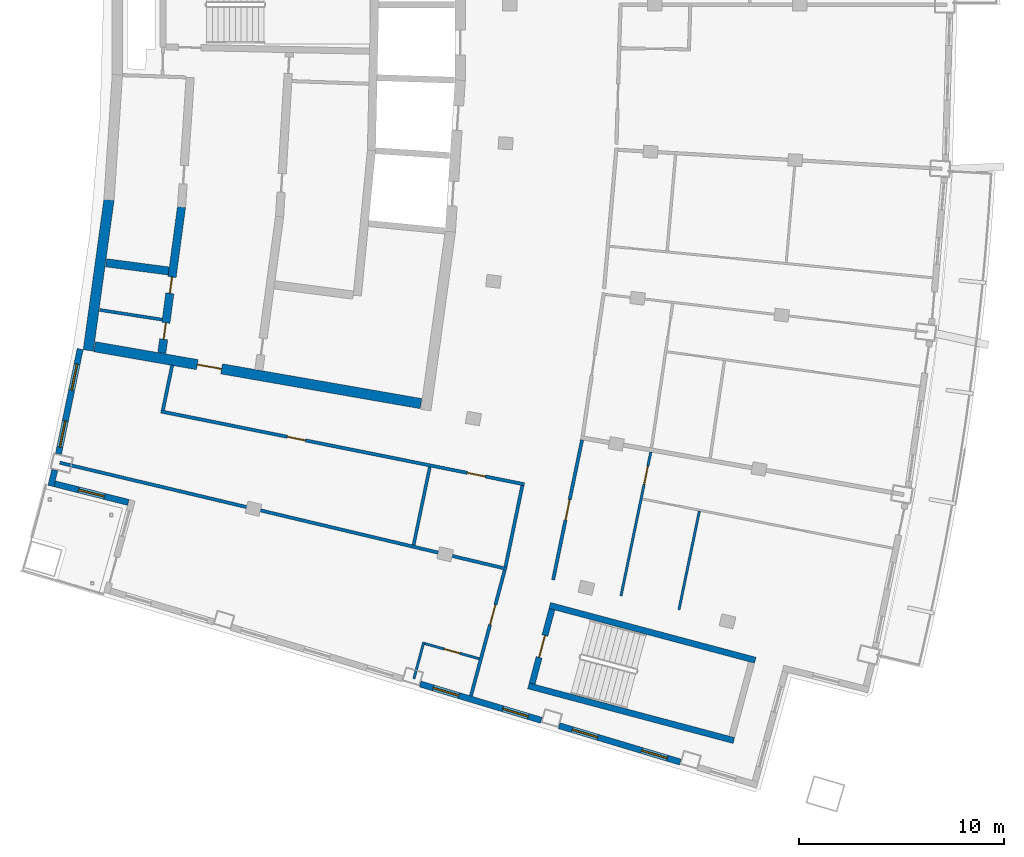
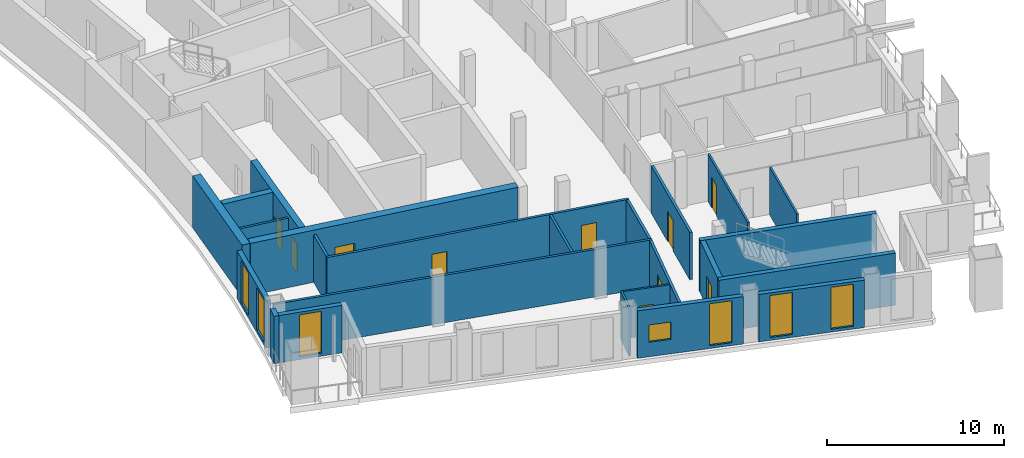
# One storey, part 7 of 15: 24 walls, 10 doors, 7 windows, 17 openings.
"""IFC4 building model written with IfcOpenShell, lengths in metres."""

from ifc_helpers import new_model, si_unit, direction, frame, frame_2d, origin, place, context, subcontext, project, spatial, rectangle, extrude, material, layer, layer_set, type_object, element, fill, save


model = new_model("IFC4")

# Units and contexts
model_context = context("Model", 3, precision=1e-05, world=origin(), true_north=direction((0.0, 1.0)))
body_context = subcontext(model_context, "Body", "Model", "MODEL_VIEW")
ifc_project = project(units=[si_unit("LENGTHUNIT", "METRE"), si_unit("AREAUNIT", "SQUARE_METRE"), si_unit("VOLUMEUNIT", "CUBIC_METRE"), si_unit("PLANEANGLEUNIT", "RADIAN"), si_unit("MASSUNIT", "GRAM", prefix="KILO")], contexts=[model_context])

# Site, building, storey
site_placement = place(None, origin())
site = spatial("IfcSite", under=ifc_project, at=site_placement, CompositionType="ELEMENT")
building_placement = place(site_placement, origin())
building = spatial("IfcBuilding", under=site, at=building_placement, Name="Alderwake Tower", CompositionType="ELEMENT")
storey_placement = place(building_placement, frame((0.0, 0.0, 249.199951171875)))
storey = spatial("IfcBuildingStorey", under=building, at=storey_placement, Name="L61", CompositionType="ELEMENT", Elevation=249.199951171875)

# Walls
ifc_material_1 = material(Name="Gypsum shaft wall system, rated")
ifc_layer_1 = layer(ifc_material_1, 0.14990234375)
ifc_layer_set_1 = layer_set([ifc_layer_1], Name="Core room partition 150")
wall_type_1 = type_object("IfcWallType", Name="Core room partition 150", PredefinedType="PARTITIONING", material=ifc_layer_set_1)
wall_1_placement = place(storey_placement, frame((15.826416015625, 46.128662109375, 0.0), z_axis=(0.0, 0.0, 1.0), x_axis=(0.988169349882, -0.153366671587, 0.0)))
element("IfcWall", 1, at=wall_1_placement, inside=storey, type_object=wall_type_1, Name="CW/L61/PR-161_+0", PredefinedType="PARTITIONING", context=body_context, shape_type="SweptSolid", body=[
    extrude(rectangle(XDim=3.081787109375, YDim=0.14990234375, at=frame_2d((1.541015625, 0.0))), origin(), (0.0, 0.0, 1.0), 3.280029296875),
])
ifc_material_2 = material(Name="Concrete C70/85", Category="concrete")
ifc_layer_2 = layer(ifc_material_2, 0.5)
ifc_layer_set_2 = layer_set([ifc_layer_2], Name="Core wall outer 500 C70-85")
wall_type_2 = type_object("IfcWallType", Name="Core wall outer 500 C70-85", PredefinedType="SHEAR", material=ifc_layer_set_2)
wall_2_placement = place(storey_placement, frame((15.272216796875, 44.155029296875, 0.0), z_axis=(0.0, 0.0, 1.0), x_axis=(0.13632182908, 0.990664604655, 0.0)))
element("IfcWall", 2, at=wall_2_placement, inside=storey, type_object=wall_type_2, Name="Core wall CW.028", PredefinedType="SHEAR", context=body_context, shape_type="SweptSolid", body=[
    extrude(rectangle(XDim=7.408935546875, YDim=0.5, at=frame_2d((3.70458984375, 0.0))), origin(), (0.0, 0.0, 1.0), 3.60009765625),
])

# Wall, opening, door
wall_3_placement = place(storey_placement, frame((31.47802734375, 41.564453125, 0.0), z_axis=(0.0, 0.0, 1.0), x_axis=(-0.985140274783, 0.171751678306, 0.0)))
wall_3 = element("IfcWall", 3, at=wall_3_placement, inside=storey, type_object=wall_type_2, Name="Core wall CW.072", PredefinedType="SHEAR", context=body_context, shape_type="SweptSolid", body=[
    extrude(rectangle(XDim=16.137939453125, YDim=0.5, at=frame_2d((8.06884765625, 0.0))), origin(), (0.0, 0.0, 1.0), 3.60009765625),
])
opening_1_placement = place(wall_3_placement, frame((9.859619140625, 0.0, 0.0)))
opening_1 = element("IfcOpeningElement", 4, at=opening_1_placement, cuts=wall_3, Name="Opening C003", PredefinedType="OPENING", context=body_context, shape_type="SweptSolid", body=[
    extrude(rectangle(XDim=1.199951171875, YDim=2.10009765625, at=frame_2d((0.60009765625, 1.050048828125))), frame((0.0, 0.260009765625, 0.0), z_axis=(0.0, -1.0, 0.0), x_axis=(1.0, 0.0, 0.0)), (0.0, 0.0, 1.0), 0.52001953125),
])
ifc_material_3 = material(Name="Steel-framed fire door leaf", Category="steel")
door_type_1 = type_object("IfcDoorType", Name="Core lobby exit door 1200 fire-rated", OperationType="SINGLE_SWING_LEFT", PredefinedType="DOOR", material=ifc_material_3)
door_1_placement = place(opening_1_placement, origin())
door_1 = element("IfcDoor", 5, at=door_1_placement, inside=storey, type_object=door_type_1, Name="Lobby door", OperationType="SINGLE_SWING_LEFT", OverallHeight=2.10009765625, OverallWidth=1.199951171875, PredefinedType="DOOR", context=body_context, shape_type="SweptSolid", body=[
    extrude(rectangle(XDim=1.199951171875, YDim=2.10009765625, at=frame_2d((0.60009765625, 1.050048828125))), frame((0.0, 0.02490234375, 0.0), z_axis=(0.0, -1.0, 0.0), x_axis=(1.0, 0.0, 0.0)), (0.0, 0.0, 1.0), 0.050048828125),
])
fill(opening_1, door_1)

# Wall, openings, doors
ifc_material_4 = material(Name="Concrete C70/85", Category="concrete")
ifc_layer_3 = layer(ifc_material_4, 0.39990234375)
ifc_layer_set_3 = layer_set([ifc_layer_3], Name="Core wall spine 400 C70-85")
wall_type_3 = type_object("IfcWallType", Name="Core wall spine 400 C70-85", PredefinedType="SHEAR", material=ifc_layer_set_3)
wall_4_placement = place(storey_placement, frame((19.814697265625, 51.143798828125, 0.0), z_axis=(0.0, 0.0, 1.0), x_axis=(-0.133823115837, -0.991005233925, 0.0)))
wall_4 = element("IfcWall", 6, at=wall_4_placement, inside=storey, type_object=wall_type_3, Name="Core wall CW.033", PredefinedType="SHEAR", context=body_context, shape_type="SweptSolid", body=[
    extrude(rectangle(XDim=7.1787109375, YDim=0.39990234375, at=frame_2d((3.58935546875, 0.0))), origin(), (0.0, 0.0, 1.0), 3.60009765625),
])
opening_2_placement = place(wall_4_placement, frame((5.69677734375, 0.0, 0.0)))
opening_2 = element("IfcOpeningElement", 7, at=opening_2_placement, cuts=wall_4, Name="Opening C009", PredefinedType="OPENING", context=body_context, shape_type="SweptSolid", body=[
    extrude(rectangle(XDim=0.800048828125, YDim=2.0, at=frame_2d((0.39990234375, 1.0))), frame((0.0, 0.2099609375, 0.0), z_axis=(0.0, -1.0, 0.0), x_axis=(1.0, 0.0, 0.0)), (0.0, 0.0, 1.0), 0.419921875),
])
opening_3_placement = place(wall_4_placement, frame((3.443115234375, 0.0, 0.0)))
opening_3 = element("IfcOpeningElement", 8, at=opening_3_placement, cuts=wall_4, Name="Opening C010", PredefinedType="OPENING", context=body_context, shape_type="SweptSolid", body=[
    extrude(rectangle(XDim=0.800048828125, YDim=2.0, at=frame_2d((0.39990234375, 1.0))), frame((0.0, 0.2099609375, 0.0), z_axis=(0.0, -1.0, 0.0), x_axis=(1.0, 0.0, 0.0)), (0.0, 0.0, 1.0), 0.419921875),
])
ifc_material_5 = material(Name="Painted steel leaf, rated", Category="steel")
door_type_2 = type_object("IfcDoorType", Name="Riser access door 800", OperationType="SINGLE_SWING_LEFT", PredefinedType="DOOR", material=ifc_material_5)
door_2_placement = place(opening_2_placement, origin())
door_2 = element("IfcDoor", 9, at=door_2_placement, inside=storey, type_object=door_type_2, Name="Riser access door", OperationType="SINGLE_SWING_LEFT", OverallHeight=2.0, OverallWidth=0.800048828125, PredefinedType="DOOR", context=body_context, shape_type="SweptSolid", body=[
    extrude(rectangle(XDim=0.800048828125, YDim=2.0, at=frame_2d((0.39990234375, 1.0))), frame((0.0, 0.02490234375, 0.0), z_axis=(0.0, -1.0, 0.0), x_axis=(1.0, 0.0, 0.0)), (0.0, 0.0, 1.0), 0.050048828125),
])
fill(opening_2, door_2)
door_3_placement = place(opening_3_placement, origin())
door_3 = element("IfcDoor", 10, at=door_3_placement, inside=storey, type_object=door_type_2, Name="Riser access door", OperationType="SINGLE_SWING_RIGHT", OverallHeight=2.0, OverallWidth=0.800048828125, PredefinedType="DOOR", context=body_context, shape_type="SweptSolid", body=[
    extrude(rectangle(XDim=0.800048828125, YDim=2.0, at=frame_2d((0.39990234375, 1.0))), frame((0.0, 0.02490234375, 0.0), z_axis=(0.0, -1.0, 0.0), x_axis=(1.0, 0.0, 0.0)), (0.0, 0.0, 1.0), 0.050048828125),
])
fill(opening_3, door_3)

# Walls
wall_5_placement = place(storey_placement, frame((16.142578125, 48.42529296875, 0.0), z_axis=(0.0, 0.0, 1.0), x_axis=(0.991550757989, -0.129719290517, 0.0)))
element("IfcWall", 11, at=wall_5_placement, inside=storey, type_object=wall_type_3, Name="Core wall CW.067", PredefinedType="SHEAR", context=body_context, shape_type="SweptSolid", body=[
    extrude(rectangle(XDim=3.0751953125, YDim=0.39990234375, at=frame_2d((1.53759765625, 0.0))), origin(), (0.0, 0.0, 1.0), 3.60009765625),
])
ifc_material_6 = material(Name="Concrete C70/85", Category="concrete")
ifc_layer_4 = layer(ifc_material_6, 0.300048828125)
ifc_layer_set_4 = layer_set([ifc_layer_4], Name="Core wall stair enclosure 300 C70-85")
wall_type_4 = type_object("IfcWallType", Name="Core wall stair enclosure 300 C70-85", PredefinedType="SHEAR", material=ifc_layer_set_4)
for number, where, z_axis, x_axis, name in (
    (12, (37.75390625, 31.731201171875, 0.0), (0.0, 0.0, 1.0), (0.966309214305, -0.257383958996, 0.0), "Core wall CW.086"),
    (13, (36.71142578125, 27.817626953125, 0.0), (0.0, 0.0, 1.0), (0.966309214305, -0.257383958996, 0.0), "Core wall CW.088"),
):
    element("IfcWall", number, at=place(storey_placement, frame(where, z_axis=z_axis, x_axis=x_axis)), inside=storey, type_object=wall_type_4, Name=name, PredefinedType="SHEAR", context=body_context, shape_type="SweptSolid", body=[
        extrude(rectangle(XDim=10.360107421875, YDim=0.300048828125, at=frame_2d((5.18017578125, 0.0))), origin(), (0.0, 0.0, 1.0), 3.60009765625),
    ])

# Wall, opening, door
wall_6_placement = place(storey_placement, frame((36.89501953125, 27.923828125, 0.0), z_axis=(0.0, 0.0, 1.0), x_axis=(0.257350630826, 0.966318090907, 0.0)))
wall_6 = element("IfcWall", 14, at=wall_6_placement, inside=storey, type_object=wall_type_4, Name="Core wall CW.087", PredefinedType="SHEAR", context=body_context, shape_type="SweptSolid", body=[
    extrude(rectangle(XDim=3.75, YDim=0.300048828125, at=frame_2d((1.875, 0.0))), origin(), (0.0, 0.0, 1.0), 3.60009765625),
])
opening_4_placement = place(wall_6_placement, frame((1.324951171875, 0.0, 0.0)))
opening_4 = element("IfcOpeningElement", 15, at=opening_4_placement, cuts=wall_6, Name="Opening C065", PredefinedType="OPENING", context=body_context, shape_type="SweptSolid", body=[
    extrude(rectangle(XDim=1.10009765625, YDim=2.10009765625, at=frame_2d((0.550048828125, 1.050048828125))), frame((0.0, 0.159912109375, 0.0), z_axis=(0.0, -1.0, 0.0), x_axis=(1.0, 0.0, 0.0)), (0.0, 0.0, 1.0), 0.320068359375),
])
ifc_material_7 = material(Name="Steel-framed fire door leaf", Category="steel")
door_type_3 = type_object("IfcDoorType", Name="Core stair door 1100 fire-rated", OperationType="SINGLE_SWING_LEFT", PredefinedType="DOOR", material=ifc_material_7)
door_4_placement = place(opening_4_placement, origin())
door_4 = element("IfcDoor", 16, at=door_4_placement, inside=storey, type_object=door_type_3, Name="Stair door", OperationType="SINGLE_SWING_LEFT", OverallHeight=2.10009765625, OverallWidth=1.10009765625, PredefinedType="DOOR", context=body_context, shape_type="SweptSolid", body=[
    extrude(rectangle(XDim=1.10009765625, YDim=2.10009765625, at=frame_2d((0.550048828125, 1.050048828125))), frame((0.0, 0.02490234375, 0.0), z_axis=(0.0, -1.0, 0.0), x_axis=(1.0, 0.0, 0.0)), (0.0, 0.0, 1.0), 0.050048828125),
])
fill(opening_4, door_4)

# Wall
ifc_material_8 = material(Name="Gypsum board on metal studs, rated")
ifc_layer_5 = layer(ifc_material_8, 0.159912109375)
ifc_layer_set_5 = layer_set([ifc_layer_5], Name="Corridor wall 160")
wall_type_5 = type_object("IfcWallType", Name="Corridor wall 160", PredefinedType="PARTITIONING", material=ifc_layer_set_5)
wall_7_placement = place(storey_placement, frame((13.884033203125, 38.68798828125, 0.0), z_axis=(0.0, 0.0, 1.0), x_axis=(0.972893462073, -0.231253781493, 0.0)))
element("IfcWall", 17, at=wall_7_placement, inside=storey, type_object=wall_type_5, Name="WL/L61/W08", PredefinedType="PARTITIONING", context=body_context, shape_type="SweptSolid", body=[
    extrude(rectangle(XDim=22.38037109375, YDim=0.159912109375, at=frame_2d((11.190185546875, 0.0))), origin(), (0.0, 0.0, 1.0), 3.280029296875),
])

# Wall, openings, doors
wall_8_placement = place(storey_placement, frame((36.513427734375, 37.63427734375, 0.0), z_axis=(0.0, 0.0, 1.0), x_axis=(-0.980470254867, 0.1966674333, 0.0)))
wall_8 = element("IfcWall", 18, at=wall_8_placement, inside=storey, type_object=wall_type_5, Name="WL/L61/W09", PredefinedType="PARTITIONING", context=body_context, shape_type="SweptSolid", body=[
    extrude(rectangle(XDim=18.053466796875, YDim=0.159912109375, at=frame_2d((9.02685546875, 0.0))), origin(), (0.0, 0.0, 1.0), 3.280029296875),
])
opening_5_placement = place(wall_8_placement, frame((10.876708984375, 0.0, 0.0)))
opening_5 = element("IfcOpeningElement", 19, at=opening_5_placement, cuts=wall_8, Name="Opening R17-SBS1", PredefinedType="OPENING", context=body_context, shape_type="SweptSolid", body=[
    extrude(rectangle(XDim=0.89990234375, YDim=2.10009765625, at=frame_2d((0.449951171875, 1.050048828125))), frame((0.0, 0.08984375, 0.0), z_axis=(0.0, -1.0, 0.0), x_axis=(1.0, 0.0, 0.0)), (0.0, 0.0, 1.0), 0.179931640625),
])
opening_6_placement = place(wall_8_placement, frame((1.9306640625, 0.0, 0.0)))
opening_6 = element("IfcOpeningElement", 20, at=opening_6_placement, cuts=wall_8, Name="Opening R17-SBS2", PredefinedType="OPENING", context=body_context, shape_type="SweptSolid", body=[
    extrude(rectangle(XDim=0.89990234375, YDim=2.10009765625, at=frame_2d((0.449951171875, 1.050048828125))), frame((0.0, 0.08984375, 0.0), z_axis=(0.0, -1.0, 0.0), x_axis=(1.0, 0.0, 0.0)), (0.0, 0.0, 1.0), 0.179931640625),
])
ifc_material_9 = material(Name="Painted timber leaf", Category="wood")
door_type_4 = type_object("IfcDoorType", Name="Room door 900", OperationType="SINGLE_SWING_LEFT", PredefinedType="DOOR", material=ifc_material_9)
door_5_placement = place(opening_5_placement, origin())
door_5 = element("IfcDoor", 21, at=door_5_placement, inside=storey, type_object=door_type_4, Name="DR/L61/SBS1", OperationType="SINGLE_SWING_LEFT", OverallHeight=2.10009765625, OverallWidth=0.89990234375, PredefinedType="DOOR", context=body_context, shape_type="SweptSolid", body=[
    extrude(rectangle(XDim=0.89990234375, YDim=2.10009765625, at=frame_2d((0.449951171875, 1.050048828125))), frame((0.0, 0.02490234375, 0.0), z_axis=(0.0, -1.0, 0.0), x_axis=(1.0, 0.0, 0.0)), (0.0, 0.0, 1.0), 0.050048828125),
])
fill(opening_5, door_5)
door_6_placement = place(opening_6_placement, origin())
door_6 = element("IfcDoor", 22, at=door_6_placement, inside=storey, type_object=door_type_4, Name="DR/L61/SBS2", OperationType="SINGLE_SWING_LEFT", OverallHeight=2.10009765625, OverallWidth=0.89990234375, PredefinedType="DOOR", context=body_context, shape_type="SweptSolid", body=[
    extrude(rectangle(XDim=0.89990234375, YDim=2.10009765625, at=frame_2d((0.449951171875, 1.050048828125))), frame((0.0, 0.02490234375, 0.0), z_axis=(0.0, -1.0, 0.0), x_axis=(1.0, 0.0, 0.0)), (0.0, 0.0, 1.0), 0.050048828125),
])
fill(opening_6, door_6)

# Wall
wall_9_placement = place(storey_placement, frame((19.35888671875, 43.430908203125, 0.0), z_axis=(0.0, 0.0, 1.0), x_axis=(-0.202554916658, -0.979270905183, 0.0)))
element("IfcWall", 23, at=wall_9_placement, inside=storey, type_object=wall_type_5, Name="WL/L61/W10", PredefinedType="PARTITIONING", context=body_context, shape_type="SweptSolid", body=[
    extrude(rectangle(XDim=2.229736328125, YDim=0.159912109375, at=frame_2d((1.11474609375, 0.0))), origin(), (0.0, 0.0, 1.0), 3.280029296875),
])

# Wall, opening, door
wall_10_placement = place(storey_placement, frame((33.912109375, 27.321044921875, 0.0), z_axis=(0.0, 0.0, 1.0), x_axis=(0.259370874835, 0.965777794986, 0.0)))
wall_10 = element("IfcWall", 24, at=wall_10_placement, inside=storey, type_object=wall_type_5, Name="WL/L61/W13", PredefinedType="PARTITIONING", context=body_context, shape_type="SweptSolid", body=[
    extrude(rectangle(XDim=6.349853515625, YDim=0.159912109375, at=frame_2d((3.1748046875, 0.0))), origin(), (0.0, 0.0, 1.0), 3.280029296875),
])
opening_7_placement = place(wall_10_placement, frame((3.603515625, 0.0, 0.0)))
opening_7 = element("IfcOpeningElement", 25, at=opening_7_placement, cuts=wall_10, Name="Opening R17-U08.1", PredefinedType="OPENING", context=body_context, shape_type="SweptSolid", body=[
    extrude(rectangle(XDim=1.0, YDim=2.10009765625, at=frame_2d((0.5, 1.050048828125))), frame((0.0, 0.08984375, 0.0), z_axis=(0.0, -1.0, 0.0), x_axis=(1.0, 0.0, 0.0)), (0.0, 0.0, 1.0), 0.179931640625),
])
ifc_material_10 = material(Name="Solid timber leaf in steel frame", Category="steel")
door_type_5 = type_object("IfcDoorType", Name="Flat entrance door 1000 fire-rated", OperationType="SINGLE_SWING_LEFT", PredefinedType="DOOR", material=ifc_material_10)
door_7_placement = place(opening_7_placement, origin())
door_7 = element("IfcDoor", 26, at=door_7_placement, inside=storey, type_object=door_type_5, Name="DR/L61/U08.1", OperationType="SINGLE_SWING_LEFT", OverallHeight=2.10009765625, OverallWidth=1.0, PredefinedType="DOOR", context=body_context, shape_type="SweptSolid", body=[
    extrude(rectangle(XDim=1.0, YDim=2.10009765625, at=frame_2d((0.5, 1.050048828125))), frame((0.0, 0.02490234375, 0.0), z_axis=(0.0, -1.0, 0.0), x_axis=(1.0, 0.0, 0.0)), (0.0, 0.0, 1.0), 0.050048828125),
])
fill(opening_7, door_7)

# Wall
wall_11_placement = place(storey_placement, frame((36.418701171875, 37.57177734375, 0.0), z_axis=(0.0, 0.0, 1.0), x_axis=(-0.203245920818, -0.979127721838, 0.0)))
element("IfcWall", 27, at=wall_11_placement, inside=storey, type_object=wall_type_5, Name="WL/L61/W16", PredefinedType="PARTITIONING", context=body_context, shape_type="SweptSolid", body=[
    extrude(rectangle(XDim=4.046875, YDim=0.159912109375, at=frame_2d((2.0234375, 0.0))), origin(), (0.0, 0.0, 1.0), 3.280029296875),
])

# Wall, opening, door
wall_12_placement = place(storey_placement, frame((39.32763671875, 39.799072265625, 0.0), z_axis=(0.0, 0.0, 1.0), x_axis=(-0.202466556983, -0.979289177569, 0.0)))
wall_12 = element("IfcWall", 28, at=wall_12_placement, inside=storey, type_object=wall_type_5, Name="WL/L61/W18", PredefinedType="PARTITIONING", context=body_context, shape_type="SweptSolid", body=[
    extrude(rectangle(XDim=6.96728515625, YDim=0.159912109375, at=frame_2d((3.483642578125, 0.0))), origin(), (0.0, 0.0, 1.0), 3.280029296875),
])
opening_8_placement = place(wall_12_placement, frame((2.983642578125, 0.0, 0.0)))
opening_8 = element("IfcOpeningElement", 29, at=opening_8_placement, cuts=wall_12, Name="Opening R17-U03.1", PredefinedType="OPENING", context=body_context, shape_type="SweptSolid", body=[
    extrude(rectangle(XDim=1.0, YDim=2.10009765625, at=frame_2d((0.5, 1.050048828125))), frame((0.0, 0.08984375, 0.0), z_axis=(0.0, -1.0, 0.0), x_axis=(1.0, 0.0, 0.0)), (0.0, 0.0, 1.0), 0.179931640625),
])
door_8_placement = place(opening_8_placement, origin())
door_8 = element("IfcDoor", 30, at=door_8_placement, inside=storey, type_object=door_type_5, Name="DR/L61/U03.1", OperationType="SINGLE_SWING_LEFT", OverallHeight=2.10009765625, OverallWidth=1.0, PredefinedType="DOOR", context=body_context, shape_type="SweptSolid", body=[
    extrude(rectangle(XDim=1.0, YDim=2.10009765625, at=frame_2d((0.5, 1.050048828125))), frame((0.0, 0.02490234375, 0.0), z_axis=(0.0, -1.0, 0.0), x_axis=(1.0, 0.0, 0.0)), (0.0, 0.0, 1.0), 0.050048828125),
])
fill(opening_8, door_8)

# Wall
ifc_material_11 = material(Name="Precast concrete C50/60 spandrel panel", Category="concrete")
ifc_layer_6 = layer(ifc_material_11, 0.300048828125)
ifc_layer_set_6 = layer_set([ifc_layer_6], Name="External wall EW1 Precast concrete C50/60 spandrel")
wall_type_6 = type_object("IfcWallType", Name="External wall EW1 Precast concrete C50/60 spandrel", PredefinedType="SOLIDWALL", material=ifc_layer_set_6)
wall_13_placement = place(storey_placement, frame((13.643310546875, 38.33154296875, 0.0), z_axis=(0.0, 0.0, 1.0), x_axis=(-0.238313493867, -0.971188281767, 0.0)))
element("IfcWall", 31, at=wall_13_placement, inside=storey, type_object=wall_type_6, Name="External wall 1", PredefinedType="SOLIDWALL", context=body_context, shape_type="SweptSolid", body=[
    extrude(rectangle(XDim=0.80322265625, YDim=0.300048828125, at=frame_2d((0.401611328125, 0.0))), origin(), (0.0, 0.0, 1.0), 3.280029296875),
])

# Wall, openings, windows
wall_14_placement = place(storey_placement, frame((14.878173828125, 44.223388671875, 0.0), z_axis=(0.0, 0.0, 1.0), x_axis=(-0.202760516883, -0.979228355795, 0.0)))
wall_14 = element("IfcWall", 32, at=wall_14_placement, inside=storey, type_object=wall_type_6, Name="External wall 32", PredefinedType="SOLIDWALL", context=body_context, shape_type="SweptSolid", body=[
    extrude(rectangle(XDim=5.211181640625, YDim=0.300048828125, at=frame_2d((2.60546875, 0.0))), origin(), (0.0, 0.0, 1.0), 3.280029296875),
])
opening_9_placement = place(wall_14_placement, frame((0.75634765625, 0.0, 0.199951171875)))
opening_9 = element("IfcOpeningElement", 33, at=opening_9_placement, cuts=wall_14, Name="Opening W1", PredefinedType="OPENING", context=body_context, shape_type="SweptSolid", body=[
    extrude(rectangle(XDim=1.300048828125, YDim=2.89990234375, at=frame_2d((0.64990234375, 1.449951171875))), frame((0.0, 0.159912109375, 0.0), z_axis=(0.0, -1.0, 0.0), x_axis=(1.0, 0.0, 0.0)), (0.0, 0.0, 1.0), 0.320068359375),
])
opening_10_placement = place(wall_14_placement, frame((3.569091796875, 0.0, 0.199951171875)))
opening_10 = element("IfcOpeningElement", 34, at=opening_10_placement, cuts=wall_14, Name="Opening W1", PredefinedType="OPENING", context=body_context, shape_type="SweptSolid", body=[
    extrude(rectangle(XDim=1.300048828125, YDim=2.89990234375, at=frame_2d((0.64990234375, 1.449951171875))), frame((0.0, 0.159912109375, 0.0), z_axis=(0.0, -1.0, 0.0), x_axis=(1.0, 0.0, 0.0)), (0.0, 0.0, 1.0), 0.320068359375),
])
ifc_material_12 = material(Name="Bronze tinted glass in aluminium frame", Category="aluminium")
window_type_1 = type_object("IfcWindowType", Name="Window W1 tall fixed and vent", PartitioningType="DOUBLE_PANEL_VERTICAL", PredefinedType="WINDOW", material=ifc_material_12)
window_1_placement = place(opening_9_placement, origin())
window_1 = element("IfcWindow", 35, at=window_1_placement, inside=storey, type_object=window_type_1, Name="Window W1 tall fixed and vent", OverallHeight=2.89990234375, OverallWidth=1.300048828125, PartitioningType="DOUBLE_PANEL_VERTICAL", PredefinedType="WINDOW", context=body_context, shape_type="SweptSolid", body=[
    extrude(rectangle(XDim=1.300048828125, YDim=2.89990234375, at=frame_2d((0.64990234375, 1.449951171875))), frame((0.0, 0.030029296875, 0.0), z_axis=(0.0, -1.0, 0.0), x_axis=(1.0, 0.0, 0.0)), (0.0, 0.0, 1.0), 0.06005859375),
])
fill(opening_9, window_1)
window_2_placement = place(opening_10_placement, origin())
window_2 = element("IfcWindow", 36, at=window_2_placement, inside=storey, type_object=window_type_1, Name="Window W1 tall fixed and vent", OverallHeight=2.89990234375, OverallWidth=1.300048828125, PartitioningType="DOUBLE_PANEL_VERTICAL", PredefinedType="WINDOW", context=body_context, shape_type="SweptSolid", body=[
    extrude(rectangle(XDim=1.300048828125, YDim=2.89990234375, at=frame_2d((0.64990234375, 1.449951171875))), frame((0.0, 0.030029296875, 0.0), z_axis=(0.0, -1.0, 0.0), x_axis=(1.0, 0.0, 0.0)), (0.0, 0.0, 1.0), 0.06005859375),
])
fill(opening_10, window_2)

# Wall, opening, window
ifc_material_13 = material(Name="Bronze metal cladding on lightweight framing")
ifc_layer_7 = layer(ifc_material_13, 0.300048828125)
ifc_layer_set_7 = layer_set([ifc_layer_7], Name="External wall EW2 bronze metal cladding")
wall_type_7 = type_object("IfcWallType", Name="External wall EW2 bronze metal cladding", PredefinedType="SOLIDWALL", material=ifc_layer_set_7)
wall_15_placement = place(storey_placement, frame((13.633056640625, 37.660400390625, 0.0), z_axis=(0.0, 0.0, 1.0), x_axis=(0.969417366605, -0.245417948254, 0.0)))
wall_15 = element("IfcWall", 37, at=wall_15_placement, inside=storey, type_object=wall_type_7, Name="External wall 2", PredefinedType="SOLIDWALL", context=body_context, shape_type="SweptSolid", body=[
    extrude(rectangle(XDim=3.70556640625, YDim=0.300048828125, at=frame_2d((1.852783203125, 0.0))), origin(), (0.0, 0.0, 1.0), 3.280029296875),
])
opening_11_placement = place(wall_15_placement, frame((1.202880859375, 0.0, 0.199951171875)))
opening_11 = element("IfcOpeningElement", 38, at=opening_11_placement, cuts=wall_15, Name="Opening W1", PredefinedType="OPENING", context=body_context, shape_type="SweptSolid", body=[
    extrude(rectangle(XDim=1.300048828125, YDim=2.89990234375, at=frame_2d((0.64990234375, 1.449951171875))), frame((0.0, 0.159912109375, 0.0), z_axis=(0.0, -1.0, 0.0), x_axis=(1.0, 0.0, 0.0)), (0.0, 0.0, 1.0), 0.320068359375),
])
window_3_placement = place(opening_11_placement, origin())
window_3 = element("IfcWindow", 39, at=window_3_placement, inside=storey, type_object=window_type_1, Name="Window W1 tall fixed and vent", OverallHeight=2.89990234375, OverallWidth=1.300048828125, PartitioningType="DOUBLE_PANEL_VERTICAL", PredefinedType="WINDOW", context=body_context, shape_type="SweptSolid", body=[
    extrude(rectangle(XDim=1.300048828125, YDim=2.89990234375, at=frame_2d((0.64990234375, 1.449951171875))), frame((0.0, 0.030029296875, 0.0), z_axis=(0.0, -1.0, 0.0), x_axis=(1.0, 0.0, 0.0)), (0.0, 0.0, 1.0), 0.06005859375),
])
fill(opening_11, window_3)

# Wall, openings, windows
wall_16_placement = place(storey_placement, frame((31.441162109375, 27.90771484375, 0.0), z_axis=(0.0, 0.0, 1.0), x_axis=(0.957757574336, -0.287576822436, 0.0)))
wall_16 = element("IfcWall", 40, at=wall_16_placement, inside=storey, type_object=wall_type_7, Name="External wall 6", PredefinedType="SOLIDWALL", context=body_context, shape_type="SweptSolid", body=[
    extrude(rectangle(XDim=6.163330078125, YDim=0.300048828125, at=frame_2d((3.08154296875, 0.0))), origin(), (0.0, 0.0, 1.0), 3.280029296875),
])
opening_12_placement = place(wall_16_placement, frame((0.664794921875, 0.0, 1.0)))
opening_12 = element("IfcOpeningElement", 41, at=opening_12_placement, cuts=wall_16, Name="Opening W2", PredefinedType="OPENING", context=body_context, shape_type="SweptSolid", body=[
    extrude(rectangle(XDim=1.300048828125, YDim=1.199951171875, at=frame_2d((0.64990234375, 0.60009765625))), frame((0.0, 0.159912109375, 0.0), z_axis=(0.0, -1.0, 0.0), x_axis=(1.0, 0.0, 0.0)), (0.0, 0.0, 1.0), 0.320068359375),
])
opening_13_placement = place(wall_16_placement, frame((4.1982421875, 0.0, 0.199951171875)))
opening_13 = element("IfcOpeningElement", 42, at=opening_13_placement, cuts=wall_16, Name="Opening W1", PredefinedType="OPENING", context=body_context, shape_type="SweptSolid", body=[
    extrude(rectangle(XDim=1.300048828125, YDim=2.89990234375, at=frame_2d((0.64990234375, 1.449951171875))), frame((0.0, 0.159912109375, 0.0), z_axis=(0.0, -1.0, 0.0), x_axis=(1.0, 0.0, 0.0)), (0.0, 0.0, 1.0), 0.320068359375),
])
window_4_placement = place(opening_13_placement, origin())
window_4 = element("IfcWindow", 43, at=window_4_placement, inside=storey, type_object=window_type_1, Name="Window W1 tall fixed and vent", OverallHeight=2.89990234375, OverallWidth=1.300048828125, PartitioningType="DOUBLE_PANEL_VERTICAL", PredefinedType="WINDOW", context=body_context, shape_type="SweptSolid", body=[
    extrude(rectangle(XDim=1.300048828125, YDim=2.89990234375, at=frame_2d((0.64990234375, 1.449951171875))), frame((0.0, 0.030029296875, 0.0), z_axis=(0.0, -1.0, 0.0), x_axis=(1.0, 0.0, 0.0)), (0.0, 0.0, 1.0), 0.06005859375),
])
fill(opening_13, window_4)
ifc_material_14 = material(Name="Bronze tinted glass in aluminium frame", Category="aluminium")
window_type_2 = type_object("IfcWindowType", Name="Window W2 kitchen and bath", PartitioningType="SINGLE_PANEL", PredefinedType="WINDOW", material=ifc_material_14)
window_5_placement = place(opening_12_placement, origin())
window_5 = element("IfcWindow", 44, at=window_5_placement, inside=storey, type_object=window_type_2, Name="Window W2 kitchen and bath", OverallHeight=1.199951171875, OverallWidth=1.300048828125, PartitioningType="SINGLE_PANEL", PredefinedType="WINDOW", context=body_context, shape_type="SweptSolid", body=[
    extrude(rectangle(XDim=1.300048828125, YDim=1.199951171875, at=frame_2d((0.64990234375, 0.60009765625))), frame((0.0, 0.030029296875, 0.0), z_axis=(0.0, -1.0, 0.0), x_axis=(1.0, 0.0, 0.0)), (0.0, 0.0, 1.0), 0.06005859375),
])
fill(opening_12, window_5)

wall_17_placement = place(storey_placement, frame((38.20947265625, 25.87548828125, 0.0), z_axis=(0.0, 0.0, 1.0), x_axis=(0.957768483821, -0.28754048654, 0.0)))
wall_17 = element("IfcWall", 45, at=wall_17_placement, inside=storey, type_object=wall_type_7, Name="External wall 7", PredefinedType="SOLIDWALL", context=body_context, shape_type="SweptSolid", body=[
    extrude(rectangle(XDim=6.163330078125, YDim=0.300048828125, at=frame_2d((3.08154296875, 0.0))), origin(), (0.0, 0.0, 1.0), 3.280029296875),
])
opening_14_placement = place(wall_17_placement, frame((0.6650390625, 0.0, 0.199951171875)))
opening_14 = element("IfcOpeningElement", 46, at=opening_14_placement, cuts=wall_17, Name="Opening W1", PredefinedType="OPENING", context=body_context, shape_type="SweptSolid", body=[
    extrude(rectangle(XDim=1.300048828125, YDim=2.89990234375, at=frame_2d((0.64990234375, 1.449951171875))), frame((0.0, 0.159912109375, 0.0), z_axis=(0.0, -1.0, 0.0), x_axis=(1.0, 0.0, 0.0)), (0.0, 0.0, 1.0), 0.320068359375),
])
opening_15_placement = place(wall_17_placement, frame((4.1982421875, 0.0, 0.199951171875)))
opening_15 = element("IfcOpeningElement", 47, at=opening_15_placement, cuts=wall_17, Name="Opening W1", PredefinedType="OPENING", context=body_context, shape_type="SweptSolid", body=[
    extrude(rectangle(XDim=1.300048828125, YDim=2.89990234375, at=frame_2d((0.64990234375, 1.449951171875))), frame((0.0, 0.159912109375, 0.0), z_axis=(0.0, -1.0, 0.0), x_axis=(1.0, 0.0, 0.0)), (0.0, 0.0, 1.0), 0.320068359375),
])
window_6_placement = place(opening_14_placement, origin())
window_6 = element("IfcWindow", 48, at=window_6_placement, inside=storey, type_object=window_type_1, Name="Window W1 tall fixed and vent", OverallHeight=2.89990234375, OverallWidth=1.300048828125, PartitioningType="DOUBLE_PANEL_VERTICAL", PredefinedType="WINDOW", context=body_context, shape_type="SweptSolid", body=[
    extrude(rectangle(XDim=1.300048828125, YDim=2.89990234375, at=frame_2d((0.64990234375, 1.449951171875))), frame((0.0, 0.030029296875, 0.0), z_axis=(0.0, -1.0, 0.0), x_axis=(1.0, 0.0, 0.0)), (0.0, 0.0, 1.0), 0.06005859375),
])
fill(opening_14, window_6)
window_7_placement = place(opening_15_placement, origin())
window_7 = element("IfcWindow", 49, at=window_7_placement, inside=storey, type_object=window_type_1, Name="Window W1 tall fixed and vent", OverallHeight=2.89990234375, OverallWidth=1.300048828125, PartitioningType="DOUBLE_PANEL_VERTICAL", PredefinedType="WINDOW", context=body_context, shape_type="SweptSolid", body=[
    extrude(rectangle(XDim=1.300048828125, YDim=2.89990234375, at=frame_2d((0.64990234375, 1.449951171875))), frame((0.0, 0.030029296875, 0.0), z_axis=(0.0, -1.0, 0.0), x_axis=(1.0, 0.0, 0.0)), (0.0, 0.0, 1.0), 0.06005859375),
])
fill(opening_15, window_7)

# Walls
ifc_material_15 = material(Name="Gypsum shaft wall system, rated")
ifc_layer_8 = layer(ifc_material_15, 0.14990234375)
ifc_layer_set_8 = layer_set([ifc_layer_8], Name="Riser and shaft wall 150")
wall_type_8 = type_object("IfcWallType", Name="Riser and shaft wall 150", PredefinedType="PARTITIONING", material=ifc_layer_set_8)
wall_18_placement = place(storey_placement, frame((31.120361328125, 34.67138671875, 0.0), z_axis=(0.0, 0.0, 1.0), x_axis=(0.203103989328, 0.979157173042, 0.0)))
element("IfcWall", 50, at=wall_18_placement, inside=storey, type_object=wall_type_8, Name="WL/L61/W04", PredefinedType="PARTITIONING", context=body_context, shape_type="SweptSolid", body=[
    extrude(rectangle(XDim=3.887451171875, YDim=0.14990234375, at=frame_2d((1.94384765625, 0.0))), origin(), (0.0, 0.0, 1.0), 3.280029296875),
])
ifc_material_16 = material(Name="Moisture resistant gypsum board on metal studs")
ifc_layer_9 = layer(ifc_material_16, 0.1201171875)
ifc_layer_set_9 = layer_set([ifc_layer_9], Name="Wet room partition 120")
wall_type_9 = type_object("IfcWallType", Name="Wet room partition 120", PredefinedType="PARTITIONING", material=ifc_layer_set_9)
wall_19_placement = place(storey_placement, frame((31.61767578125, 29.949951171875, 0.0), z_axis=(0.0, 0.0, 1.0), x_axis=(-0.260171283127, -0.965562480338, 0.0)))
element("IfcWall", 51, at=wall_19_placement, inside=storey, type_object=wall_type_9, Name="WL/L61/W29", PredefinedType="PARTITIONING", context=body_context, shape_type="SweptSolid", body=[
    extrude(rectangle(XDim=1.85888671875, YDim=0.1201171875, at=frame_2d((0.929443359375, 0.0))), origin(), (0.0, 0.0, 1.0), 3.280029296875),
])

# Wall, opening, door
wall_20_placement = place(storey_placement, frame((34.31787109375, 29.136474609375, 0.0), z_axis=(0.0, 0.0, 1.0), x_axis=(-0.963407530319, 0.268040912036, 0.0)))
wall_20 = element("IfcWall", 52, at=wall_20_placement, inside=storey, type_object=wall_type_9, Name="WL/L61/W31", PredefinedType="PARTITIONING", context=body_context, shape_type="SweptSolid", body=[
    extrude(rectangle(XDim=2.759033203125, YDim=0.1201171875, at=frame_2d((1.37939453125, 0.0))), origin(), (0.0, 0.0, 1.0), 3.280029296875),
])
opening_16_placement = place(wall_20_placement, frame((0.9794921875, 0.0, 0.0)))
opening_16 = element("IfcOpeningElement", 53, at=opening_16_placement, cuts=wall_20, Name="Opening R17-U08.2", PredefinedType="OPENING", context=body_context, shape_type="SweptSolid", body=[
    extrude(rectangle(XDim=0.800048828125, YDim=2.10009765625, at=frame_2d((0.39990234375, 1.050048828125))), frame((0.0, 0.070068359375, 0.0), z_axis=(0.0, -1.0, 0.0), x_axis=(1.0, 0.0, 0.0)), (0.0, 0.0, 1.0), 0.14013671875),
])
ifc_material_17 = material(Name="Painted timber leaf", Category="wood")
door_type_6 = type_object("IfcDoorType", Name="Bathroom door 800", OperationType="SINGLE_SWING_LEFT", PredefinedType="DOOR", material=ifc_material_17)
door_9_placement = place(opening_16_placement, origin())
door_9 = element("IfcDoor", 54, at=door_9_placement, inside=storey, type_object=door_type_6, Name="DR/L61/U08.2", OperationType="SINGLE_SWING_LEFT", OverallHeight=2.10009765625, OverallWidth=0.800048828125, PredefinedType="DOOR", context=body_context, shape_type="SweptSolid", body=[
    extrude(rectangle(XDim=0.800048828125, YDim=2.10009765625, at=frame_2d((0.39990234375, 1.050048828125))), frame((0.0, 0.02490234375, 0.0), z_axis=(0.0, -1.0, 0.0), x_axis=(1.0, 0.0, 0.0)), (0.0, 0.0, 1.0), 0.050048828125),
])
fill(opening_16, door_9)

wall_21_placement = place(storey_placement, frame((42.67578125, 39.2080078125, 0.0), z_axis=(0.0, 0.0, 1.0), x_axis=(-0.20272162606, -0.979236407783, 0.0)))
wall_21 = element("IfcWall", 55, at=wall_21_placement, inside=storey, type_object=wall_type_9, Name="WL/L61/W33", PredefinedType="PARTITIONING", context=body_context, shape_type="SweptSolid", body=[
    extrude(rectangle(XDim=7.1669921875, YDim=0.1201171875, at=frame_2d((3.58349609375, 0.0))), origin(), (0.0, 0.0, 1.0), 3.280029296875),
])
opening_17_placement = place(wall_21_placement, frame((0.7109375, 0.0, 0.0)))
opening_17 = element("IfcOpeningElement", 56, at=opening_17_placement, cuts=wall_21, Name="Opening R17-U03.2", PredefinedType="OPENING", context=body_context, shape_type="SweptSolid", body=[
    extrude(rectangle(XDim=0.89990234375, YDim=2.10009765625, at=frame_2d((0.449951171875, 1.050048828125))), frame((0.0, 0.070068359375, 0.0), z_axis=(0.0, -1.0, 0.0), x_axis=(1.0, 0.0, 0.0)), (0.0, 0.0, 1.0), 0.14013671875),
])
door_10_placement = place(opening_17_placement, origin())
door_10 = element("IfcDoor", 57, at=door_10_placement, inside=storey, type_object=door_type_4, Name="DR/L61/U03.2", OperationType="SINGLE_SWING_LEFT", OverallHeight=2.10009765625, OverallWidth=0.89990234375, PredefinedType="DOOR", context=body_context, shape_type="SweptSolid", body=[
    extrude(rectangle(XDim=0.89990234375, YDim=2.10009765625, at=frame_2d((0.449951171875, 1.050048828125))), frame((0.0, 0.02490234375, 0.0), z_axis=(0.0, -1.0, 0.0), x_axis=(1.0, 0.0, 0.0)), (0.0, 0.0, 1.0), 0.050048828125),
])
fill(opening_17, door_10)

# Wall
wall_22_placement = place(storey_placement, frame((44.0458984375, 31.51806640625, 0.0), z_axis=(0.0, 0.0, 1.0), x_axis=(0.202681240661, 0.979244767504, 0.0)))
element("IfcWall", 58, at=wall_22_placement, inside=storey, type_object=wall_type_9, Name="WL/L61/W39", PredefinedType="PARTITIONING", context=body_context, shape_type="SweptSolid", body=[
    extrude(rectangle(XDim=4.90966796875, YDim=0.1201171875, at=frame_2d((2.454833984375, 0.0))), origin(), (0.0, 0.0, 1.0), 3.280029296875),
])

save(model, "model.ifc")
